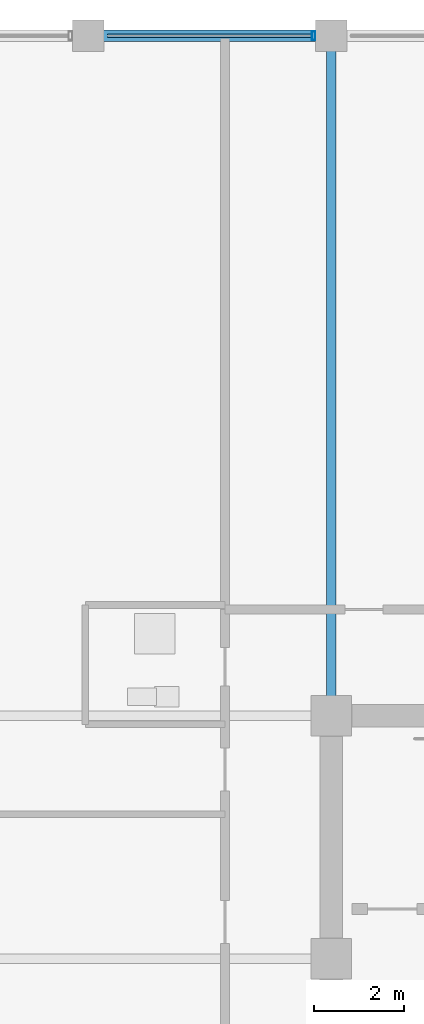
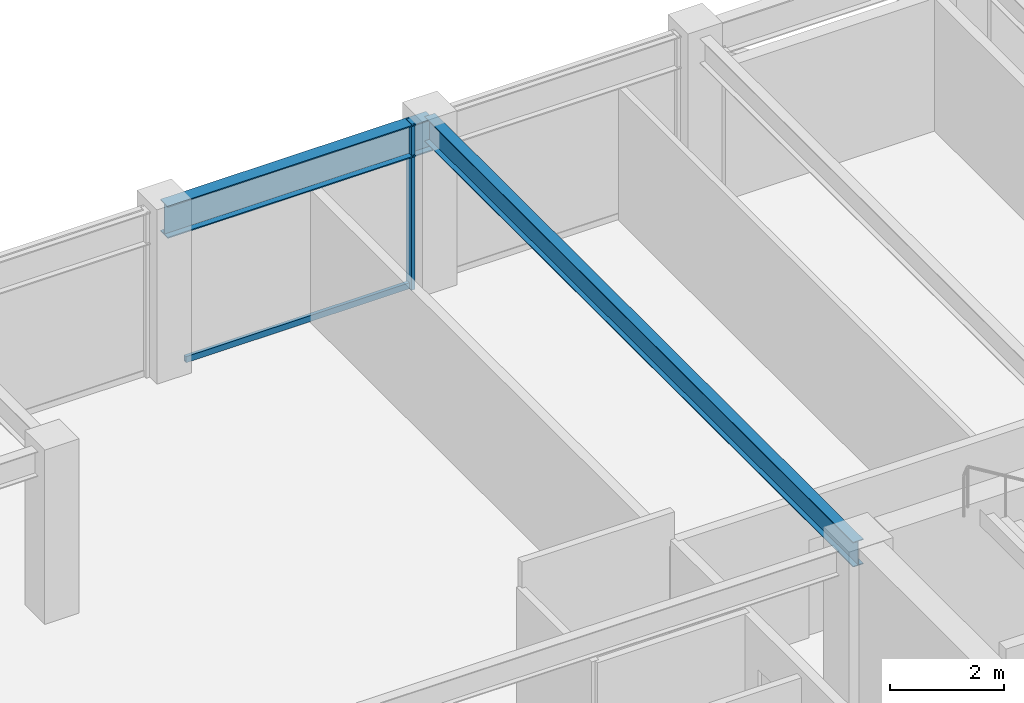
# One storey, part 17 of 31: 2 beams, 2 members, 1 element without a shape of its own.
"""IFC4 building model written with IfcOpenShell, lengths in metres."""

from ifc_helpers import new_model, si_unit, direction, frame, origin, origin_2d, place, context, subcontext, project, spatial, hollow_rectangle, i_section, extrude, material, layer, layer_set, material_profile, profile_set, type_object, element, aggregate, save


model = new_model("IFC4")

# Units and contexts
model_context = context("Model", 3, precision=1e-05, world=origin(), true_north=direction((0.0, 1.0)))
body_context = subcontext(model_context, "Body", "Model", "MODEL_VIEW")
ifc_project = project(units=[si_unit("LENGTHUNIT", "METRE"), si_unit("AREAUNIT", "SQUARE_METRE"), si_unit("VOLUMEUNIT", "CUBIC_METRE"), si_unit("PLANEANGLEUNIT", "RADIAN"), si_unit("MASSUNIT", "GRAM", prefix="KILO")], contexts=[model_context])

# Site, building, storey
site_placement = place(None, origin())
site = spatial("IfcSite", under=ifc_project, at=site_placement, CompositionType="ELEMENT")
building_placement = place(site_placement, origin())
building = spatial("IfcBuilding", under=site, at=building_placement, Name="Surkhivell Harbour Commons", CompositionType="ELEMENT")
storey_placement = place(building_placement, frame((0.0, 0.0, 330.0)))
storey = spatial("IfcBuildingStorey", under=building, at=storey_placement, Name="L86", CompositionType="ELEMENT", Elevation=330.0)

# Beams
ifc_material_1 = material(Name="Steel S355", Category="steel")
ifc_material_profile_1 = material_profile(ifc_material_1, i_section(OverallWidth=0.2099609375, OverallDepth=0.537109375, WebThickness=0.0107421875, FlangeThickness=0.017333984375, at=origin_2d()), Name="UB533x210x101")
ifc_profile_set_1 = profile_set([ifc_material_profile_1], Name="Steel S355")
beam_type_1 = type_object("IfcBeamType", Name="BM-GRD-533B", PredefinedType="BEAM", material=ifc_profile_set_1)
beam_1_placement = place(storey_placement, frame((-10.800048828125, 10.800048828125, 3.301513671875), z_axis=(0.0, 1.0, 0.0), x_axis=(-1.0, 0.0, 0.0)))
element("IfcBeam", 1, at=beam_1_placement, inside=storey, type_object=beam_type_1, Name="L86 Floor Girder (-10.8,10.8)", PredefinedType="BEAM", context=body_context, shape_type="SweptSolid", body=[
    extrude(i_section(OverallWidth=0.2099609375, OverallDepth=0.537109375, WebThickness=0.0107421875, FlangeThickness=0.017333984375, at=origin_2d()), origin(), (0.0, 0.0, 1.0), 15.099853515625),
])
ifc_material_profile_2 = material_profile(ifc_material_1, i_section(OverallWidth=0.256103515625, OverallDepth=0.693115234375, WebThickness=0.014404296875, FlangeThickness=0.023681640625, at=origin_2d()), Name="UB686x254x170")
ifc_profile_set_2 = profile_set([ifc_material_profile_2], Name="Steel S355")
beam_type_2 = type_object("IfcBeamType", Name="BM-SPN-686", PredefinedType="SPANDREL", material=ifc_profile_set_2)
beam_2_placement = place(storey_placement, frame((-16.199951171875, 25.89990234375, 3.223388671875), z_axis=(1.0, 0.0, 0.0), x_axis=(0.0, 1.0, 0.0)))
element("IfcBeam", 2, at=beam_2_placement, inside=storey, type_object=beam_type_2, Name="L86 Tube Spandrel (-16.2,25.9)", PredefinedType="SPANDREL", context=body_context, shape_type="SweptSolid", body=[
    extrude(i_section(OverallWidth=0.256103515625, OverallDepth=0.693115234375, WebThickness=0.014404296875, FlangeThickness=0.023681640625, at=origin_2d()), origin(), (0.0, 0.0, 1.0), 5.39990234375),
])

# Curtain wall, members
ifc_material_2 = material(Name="Anodised pale-metal aluminium and insulated glazing", Category="aluminium")
ifc_layer = layer(ifc_material_2, 0.175048828125)
ifc_layer_set = layer_set([ifc_layer], Name="Anodised pale-metal aluminium and insulated glazing")
curtain_wall_type = type_object("IfcCurtainWallType", Name="CW-SYS-Z4", PredefinedType="NOTDEFINED", material=ifc_layer_set)
curtain_wall_placement = place(storey_placement, origin())
curtain_wall = element("IfcCurtainWall", 3, at=curtain_wall_placement, inside=storey, type_object=curtain_wall_type, Name="L86 Curtain Wall CW-L86-E07S2", PredefinedType="NOTDEFINED")
ifc_material_3 = material(Name="Anodised pale-metal aluminium alloy 6063-T6", Category="aluminium")
ifc_material_profile_3 = material_profile(ifc_material_3, hollow_rectangle(XDim=0.074951171875, YDim=0.18994140625, WallThickness=0.00390625, at=origin_2d()), Name="ALU-MULL-75x190")
ifc_profile_set_3 = profile_set([ifc_material_profile_3], Name="Anodised pale-metal aluminium alloy 6063-T6")
member_type_1 = type_object("IfcMemberType", Name="CWM-190", PredefinedType="MULLION", material=ifc_profile_set_3)
member_1_placement = place(storey_placement, frame((-11.189453125, 25.89990234375, 0.0), z_axis=(0.0, 0.0, 1.0), x_axis=(-1.0, 0.0, 0.0)))
member_1 = element("IfcMember", 4, at=member_1_placement, type_object=member_type_1, Name="CW-Z4 mullion 2", PredefinedType="MULLION", context=body_context, shape_type="SweptSolid", body=[
    extrude(hollow_rectangle(XDim=0.074951171875, YDim=0.18994140625, WallThickness=0.00390625, at=origin_2d()), origin(), (0.0, 0.0, 1.0), 3.570068359375),
])
ifc_material_4 = material(Name="Champagne anodised aluminium alloy 6063-T6", Category="aluminium")
ifc_material_profile_4 = material_profile(ifc_material_4, hollow_rectangle(XDim=0.070068359375, YDim=0.1298828125, WallThickness=0.00341796875, at=origin_2d()), Name="ALU-TRAN-70x130")
ifc_profile_set_4 = profile_set([ifc_material_profile_4], Name="Champagne anodised aluminium alloy 6063-T6")
member_type_2 = type_object("IfcMemberType", Name="CWT-130", PredefinedType="USERDEFINED", material=ifc_profile_set_4)
member_2_placement = place(storey_placement, frame((-11.22705078125, 25.89990234375, 0.06494140625), z_axis=(-1.0, 0.0, 0.0), x_axis=(0.0, -1.0, 0.0)))
member_2 = element("IfcMember", 5, at=member_2_placement, type_object=member_type_2, Name="CW-Z4 transom 2.1", ObjectType="TRANSOM", PredefinedType="USERDEFINED", context=body_context, shape_type="SweptSolid", body=[
    extrude(hollow_rectangle(XDim=0.070068359375, YDim=0.1298828125, WallThickness=0.00341796875, at=origin_2d()), origin(), (0.0, 0.0, 1.0), 4.5458984375),
])
aggregate(curtain_wall, [member_1, member_2])

save(model, "model.ifc")
